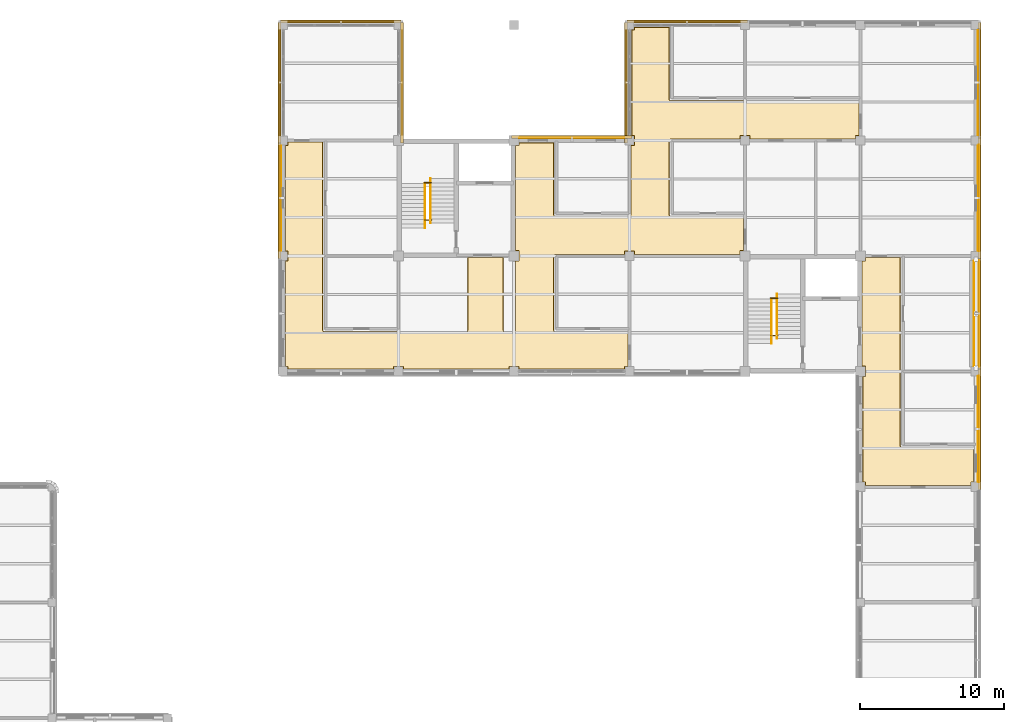
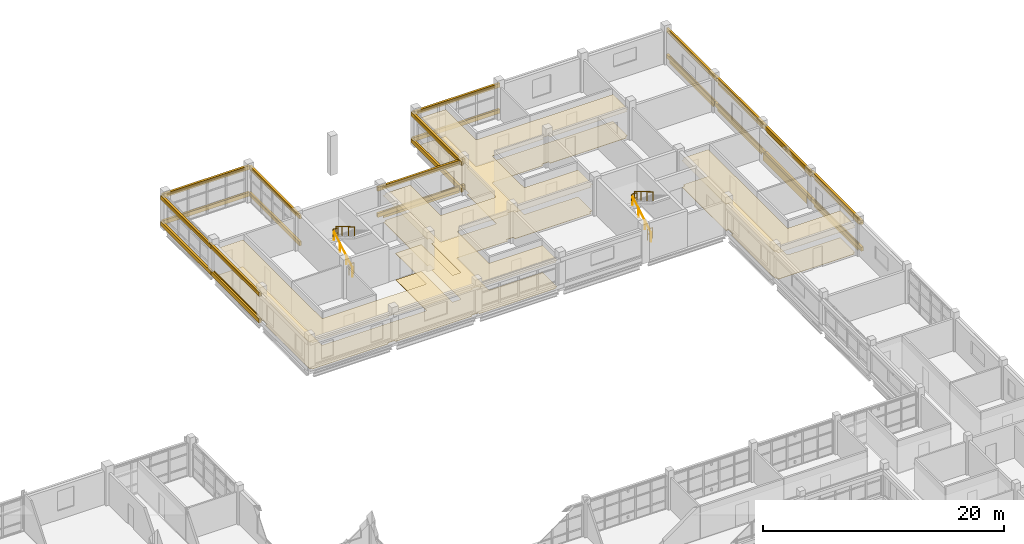
# One storey, part 105 of 107: 32 coverings, 14 shading devices, 8 railings.
"""IFC4 building model written with IfcOpenShell, lengths in metres."""

from ifc_helpers import new_model, si_unit, derived_unit, direction, frame, origin, origin_2d, place, context, subcontext, project, spatial, polyline, rectangle, circle, outline, extrude, material, layer, layer_set, material_profile, profile_set, type_object, element, save


model = new_model("IFC4")

# Units and contexts
model_context = context("Model", 3, precision=1e-05, world=origin(), true_north=direction((0.0, 1.0)))
body_context = subcontext(model_context, "Body", "Model", "MODEL_VIEW")
ifc_project = project(units=[si_unit("LENGTHUNIT", "METRE"), si_unit("AREAUNIT", "SQUARE_METRE"), si_unit("VOLUMEUNIT", "CUBIC_METRE"), si_unit("PLANEANGLEUNIT", "RADIAN"), si_unit("MASSUNIT", "GRAM", prefix="KILO"), derived_unit("THERMALTRANSMITTANCEUNIT", [(si_unit("MASSUNIT", "GRAM", prefix="KILO"), 1), (si_unit("TIMEUNIT", "SECOND"), -3), (si_unit("THERMODYNAMICTEMPERATUREUNIT", "KELVIN"), -1)])], contexts=[model_context])

# Site, building, storey
site_placement = place(None, origin())
site = spatial("IfcSite", under=ifc_project, at=site_placement, CompositionType="ELEMENT")
building_placement = place(site_placement, origin())
building = spatial("IfcBuilding", under=site, at=building_placement, Name="Veyamyaing Civic Hall", CompositionType="ELEMENT")
storey_placement = place(building_placement, frame((0.0, 0.0, 13.860107421875)))
storey = spatial("IfcBuildingStorey", under=building, at=storey_placement, Name="L03", CompositionType="ELEMENT", Elevation=13.860107421875)

# Coverings
ifc_material_1 = material(Name="Buff sandstone ashlar cladding", Category="masonry")
ifc_layer_1 = layer(ifc_material_1, 0.050048828125, Name="Buff sandstone ashlar cladding")
ifc_layer_set_1 = layer_set([ifc_layer_1], Name="Buff sandstone ashlar cladding")
covering_type_1 = type_object("IfcCoveringType", Name="CL-01", PredefinedType="CLADDING", material=ifc_layer_set_1)
for number, where, z_axis, x_axis, name in (
    (1, (176.160888671875, 84.0, 0.044921875), (0.0, 0.0, 1.0), (0.0, 1.0, 0.0), "Facade spandrel cladding CL-01 L03 E 22.11"),
    (2, (176.160888671875, 100.0, 0.044921875), (0.0, 0.0, 1.0), (0.0, 1.0, 0.0), "Facade spandrel cladding CL-01 L03 E 22.13"),
):
    element("IfcCovering", number, at=place(storey_placement, frame(where, z_axis=z_axis, x_axis=x_axis)), inside=storey, type_object=covering_type_1, Name=name, PredefinedType="CLADDING", context=body_context, shape_type="SweptSolid", body=[
        extrude(rectangle(XDim=7.300048828125, YDim=0.050048828125, at=origin_2d()), origin(), (0.0, 0.0, 1.0), 0.75),
    ])
ifc_material_2 = material(Name="Turquoise glazed ceramic tile cladding", Category="masonry")
ifc_layer_2 = layer(ifc_material_2, 0.034912109375, Name="Turquoise glazed ceramic tile cladding")
ifc_layer_set_2 = layer_set([ifc_layer_2], Name="Turquoise glazed ceramic tile cladding")
covering_type_2 = type_object("IfcCoveringType", Name="CL-02", PredefinedType="CLADDING", material=ifc_layer_set_2)
covering_1_placement = place(storey_placement, frame((127.846435546875, 100.0, 0.044921875), z_axis=(0.0, 0.0, 1.0), x_axis=(0.0, 1.0, 0.0)))
element("IfcCovering", 3, at=covering_1_placement, inside=storey, type_object=covering_type_2, Name="Facade spandrel cladding CL-02 L03 W 17.13", PredefinedType="CLADDING", context=body_context, shape_type="SweptSolid", body=[
    extrude(rectangle(XDim=7.300048828125, YDim=0.034912109375, at=origin_2d()), origin(), (0.0, 0.0, 1.0), 0.75),
])
covering_2_placement = place(storey_placement, frame((148.012451171875, 104.153564453125, 0.044921875), z_axis=(0.0, 0.0, 1.0), x_axis=(1.0, 0.0, 0.0)))
element("IfcCovering", 4, at=covering_2_placement, inside=storey, type_object=covering_type_2, Name="Facade spandrel cladding CL-02 L03 N 19.13", PredefinedType="CLADDING", context=body_context, shape_type="SweptSolid", body=[
    extrude(rectangle(XDim=7.27490234375, YDim=0.034912109375, at=origin_2d()), origin(), (0.0, 0.0, 1.0), 0.75),
])
for number, where, z_axis, x_axis, name in (
    (5, (175.853515625, 92.0, 0.044921875), (0.0, 0.0, 1.0), (0.0, 1.0, 0.0), "Facade spandrel cladding CL-02 L03 E 22.12"),
    (6, (176.153564453125, 108.0, 0.044921875), (0.0, 0.0, 1.0), (0.0, 1.0, 0.0), "Facade spandrel cladding CL-02 L03 E 22.14"),
):
    element("IfcCovering", number, at=place(storey_placement, frame(where, z_axis=z_axis, x_axis=x_axis)), inside=storey, type_object=covering_type_2, Name=name, PredefinedType="CLADDING", context=body_context, shape_type="SweptSolid", body=[
        extrude(rectangle(XDim=7.300048828125, YDim=0.034912109375, at=origin_2d()), origin(), (0.0, 0.0, 1.0), 0.75),
    ])
ifc_material_3 = material(Name="White powder-coated aluminium 6063-T6", Category="aluminium")
ifc_layer_3 = layer(ifc_material_3, 0.2099609375, Name="White powder-coated aluminium 6063-T6")
ifc_layer_set_3 = layer_set([ifc_layer_3], Name="White powder-coated aluminium 6063-T6")
covering_type_3 = type_object("IfcCoveringType", Name="CL-03", PredefinedType="CLADDING", material=ifc_layer_set_3)
for number, where, z_axis, x_axis, name in (
    (7, (127.760009765625, 100.0, 2.987060546875), (0.0, 0.0, 1.0), (0.0, 1.0, 0.0), "Continuous white head fascia ribbon CL-03 L03 W 17.13"),
    (8, (127.760009765625, 100.0, 0.280029296875), (0.0, 0.0, 1.0), (0.0, 1.0, 0.0), "Continuous white sill fascia ribbon CL-03 L03 W 17.13"),
    (9, (132.0, 112.239990234375, 2.98388671875), (0.0, 0.0, 1.0), (1.0, 0.0, 0.0), "Continuous white head fascia ribbon CL-03 L03 N 17.14"),
    (10, (132.0, 112.239990234375, 0.280029296875), (0.0, 0.0, 1.0), (1.0, 0.0, 0.0), "Continuous white sill fascia ribbon CL-03 L03 N 17.14"),
    (11, (127.760009765625, 108.0, 2.919921875), (0.0, 0.0, 1.0), (0.0, 1.0, 0.0), "Continuous white head fascia ribbon CL-03 L03 W 17.14"),
    (12, (127.760009765625, 108.0, 0.280029296875), (0.0, 0.0, 1.0), (0.0, 1.0, 0.0), "Continuous white sill fascia ribbon CL-03 L03 W 17.14"),
    (13, (136.239990234375, 108.0, 2.98388671875), (0.0, 0.0, 1.0), (0.0, 1.0, 0.0), "Continuous white head fascia ribbon CL-03 L03 E 17.14"),
    (14, (136.239990234375, 108.0, 0.280029296875), (0.0, 0.0, 1.0), (0.0, 1.0, 0.0), "Continuous white sill fascia ribbon CL-03 L03 E 17.14"),
    (15, (148.0, 104.239990234375, 2.923828125), (0.0, 0.0, 1.0), (1.0, 0.0, 0.0), "Continuous white head fascia ribbon CL-03 L03 N 19.13"),
    (16, (148.0, 104.239990234375, 0.280029296875), (0.0, 0.0, 1.0), (1.0, 0.0, 0.0), "Continuous white sill fascia ribbon CL-03 L03 N 19.13"),
    (17, (156.0, 112.239990234375, 2.919921875), (0.0, 0.0, 1.0), (1.0, 0.0, 0.0), "Continuous white head fascia ribbon CL-03 L03 N 20.14"),
    (18, (156.0, 112.239990234375, 0.280029296875), (0.0, 0.0, 1.0), (1.0, 0.0, 0.0), "Continuous white sill fascia ribbon CL-03 L03 N 20.14"),
    (19, (151.760009765625, 108.0, 2.987060546875), (0.0, 0.0, 1.0), (0.0, 1.0, 0.0), "Continuous white head fascia ribbon CL-03 L03 W 20.14"),
    (20, (151.760009765625, 108.0, 0.280029296875), (0.0, 0.0, 1.0), (0.0, 1.0, 0.0), "Continuous white sill fascia ribbon CL-03 L03 W 20.14"),
    (21, (176.239990234375, 84.0, 2.987060546875), (0.0, 0.0, 1.0), (0.0, 1.0, 0.0), "Continuous white head fascia ribbon CL-03 L03 E 22.11"),
    (22, (176.239990234375, 84.0, 0.280029296875), (0.0, 0.0, 1.0), (0.0, 1.0, 0.0), "Continuous white sill fascia ribbon CL-03 L03 E 22.11"),
    (23, (176.239990234375, 92.0, 2.919921875), (0.0, 0.0, 1.0), (0.0, 1.0, 0.0), "Continuous white head fascia ribbon CL-03 L03 E 22.12"),
    (24, (176.239990234375, 92.0, 0.280029296875), (0.0, 0.0, 1.0), (0.0, 1.0, 0.0), "Continuous white sill fascia ribbon CL-03 L03 E 22.12"),
    (25, (176.239990234375, 100.0, 2.98388671875), (0.0, 0.0, 1.0), (0.0, 1.0, 0.0), "Continuous white head fascia ribbon CL-03 L03 E 22.13"),
    (26, (176.239990234375, 100.0, 0.280029296875), (0.0, 0.0, 1.0), (0.0, 1.0, 0.0), "Continuous white sill fascia ribbon CL-03 L03 E 22.13"),
    (27, (176.239990234375, 108.0, 2.923828125), (0.0, 0.0, 1.0), (0.0, 1.0, 0.0), "Continuous white head fascia ribbon CL-03 L03 E 22.14"),
    (28, (176.239990234375, 108.0, 0.280029296875), (0.0, 0.0, 1.0), (0.0, 1.0, 0.0), "Continuous white sill fascia ribbon CL-03 L03 E 22.14"),
):
    element("IfcCovering", number, at=place(storey_placement, frame(where, z_axis=z_axis, x_axis=x_axis)), inside=storey, type_object=covering_type_3, Name=name, PredefinedType="CLADDING", context=body_context, shape_type="SweptSolid", body=[
        extrude(rectangle(XDim=8.360107421875, YDim=0.2099609375, at=origin_2d()), origin(), (0.0, 0.0, 1.0), 0.39990234375),
    ])
ifc_material_4 = material(Name="Perforated acoustic gypsum ceiling board")
ifc_layer_4 = layer(ifc_material_4, 0.02490234375, Name="Perforated acoustic gypsum ceiling board")
ifc_layer_set_4 = layer_set([ifc_layer_4], Name="Perforated acoustic gypsum ceiling board")
covering_type_4 = type_object("IfcCoveringType", Name="CLG-01", PredefinedType="CEILING", material=ifc_layer_set_4)
covering_3_placement = place(storey_placement, frame((0.0, 0.0, 2.699951171875)))
element("IfcCovering", 29, at=covering_3_placement, inside=storey, type_object=covering_type_4, Name="Acoustic suspended ceiling CLG-01 L03-C06", PredefinedType="CEILING", context=body_context, shape_type="SweptSolid", body=[
    extrude(outline(polyline([(130.77490234375, 90.8525390625), (130.78125, 90.821533203125), (130.79736328125, 90.79736328125), (130.821533203125, 90.78125), (130.8525390625, 90.77490234375), (140.697509765625, 90.77490234375), (140.729248046875, 90.78125), (140.747314453125, 90.792236328125), (140.76220703125, 90.80859375), (140.771484375, 90.828369140625), (140.77490234375, 90.851806640625), (140.77490234375, 95.925048828125), (143.27490234375, 95.925048828125), (143.27685546875, 90.8349609375), (143.283935546875, 90.8154296875), (143.30322265625, 90.7919921875), (143.3212890625, 90.781005859375), (143.34326171875, 90.775390625), (143.99755859375, 90.77490234375), (144.028564453125, 90.78125), (144.052734375, 90.79736328125), (144.06884765625, 90.821533203125), (144.074951171875, 90.8525390625), (144.074951171875, 95.6650390625), (144.3349609375, 95.6650390625), (144.3349609375, 96.3349609375), (144.074951171875, 96.3349609375), (144.074951171875, 103.6650390625), (144.3349609375, 103.6650390625), (144.3349609375, 103.844970703125), (146.77490234375, 103.844970703125), (146.77490234375, 98.851318359375), (146.776611328125, 98.8359375), (146.7841796875, 98.814208984375), (146.791748046875, 98.802978515625), (146.80859375, 98.787841796875), (146.828369140625, 98.778564453125), (146.851806640625, 98.77490234375), (151.99755859375, 98.77490234375), (152.028564453125, 98.78125), (152.052734375, 98.79736328125), (152.06884765625, 98.821533203125), (152.074951171875, 98.8525390625), (152.074951171875, 103.68994140625), (152.31005859375, 103.68994140625), (152.31005859375, 104.31005859375), (152.155029296875, 104.31005859375), (152.155029296875, 111.68994140625), (152.31005859375, 111.68994140625), (152.31005859375, 111.844970703125), (154.77490234375, 111.844970703125), (154.77490234375, 106.851806640625), (154.778564453125, 106.828369140625), (154.78759765625, 106.80908203125), (154.80908203125, 106.78759765625), (154.828369140625, 106.778564453125), (154.851806640625, 106.77490234375), (167.925048828125, 106.77490234375), (167.925048828125, 104.31005859375), (167.68994140625, 104.31005859375), (167.68994140625, 104.074951171875), (160.31005859375, 104.074951171875), (160.31005859375, 104.31005859375), (159.68994140625, 104.31005859375), (159.68994140625, 104.074951171875), (154.851806640625, 104.074951171875), (154.82763671875, 104.0712890625), (154.81591796875, 104.06640625), (154.79248046875, 104.047119140625), (154.7783203125, 104.02099609375), (154.77490234375, 103.998291015625), (154.77490234375, 98.851806640625), (154.778564453125, 98.828369140625), (154.787841796875, 98.80859375), (154.802978515625, 98.791748046875), (154.814697265625, 98.783935546875), (154.82763671875, 98.778564453125), (154.851806640625, 98.77490234375), (159.925048828125, 98.77490234375), (159.925048828125, 96.3349609375), (159.6650390625, 96.3349609375), (159.6650390625, 96.074951171875), (152.31005859375, 96.074951171875), (152.31005859375, 96.31005859375), (151.68994140625, 96.31005859375), (151.68994140625, 96.074951171875), (146.851806640625, 96.074951171875), (146.82763671875, 96.0712890625), (146.81591796875, 96.06640625), (146.79248046875, 96.047119140625), (146.7783203125, 96.02099609375), (146.77490234375, 95.998291015625), (146.77490234375, 90.851806640625), (146.778564453125, 90.828369140625), (146.787841796875, 90.80859375), (146.802978515625, 90.791748046875), (146.814697265625, 90.783935546875), (146.82763671875, 90.778564453125), (146.851806640625, 90.77490234375), (151.925048828125, 90.77490234375), (151.925048828125, 88.31005859375), (151.68994140625, 88.31005859375), (151.68994140625, 88.155029296875), (144.31005859375, 88.155029296875), (144.31005859375, 88.31005859375), (143.68994140625, 88.31005859375), (143.68994140625, 88.155029296875), (136.31005859375, 88.155029296875), (136.31005859375, 88.31005859375), (135.68994140625, 88.31005859375), (135.68994140625, 88.155029296875), (128.31005859375, 88.155029296875), (128.31005859375, 88.31005859375), (128.155029296875, 88.31005859375), (128.155029296875, 95.68994140625), (128.31005859375, 95.68994140625), (128.31005859375, 96.31005859375), (128.155029296875, 96.31005859375), (128.155029296875, 103.68994140625), (128.31005859375, 103.68994140625), (128.31005859375, 103.925048828125), (130.77490234375, 103.925048828125), (130.77490234375, 90.8525390625)])), origin(), (0.0, 0.0, 1.0), 0.02490234375),
])
covering_4_placement = place(storey_placement, frame((0.0, 0.0, 2.699951171875)))
element("IfcCovering", 30, at=covering_4_placement, inside=storey, type_object=covering_type_4, Name="Acoustic suspended ceiling CLG-01 L03-C07", PredefinedType="CEILING", context=body_context, shape_type="SweptSolid", body=[
    extrude(outline(polyline([(170.77490234375, 82.8525390625), (170.78125, 82.821533203125), (170.79736328125, 82.79736328125), (170.821533203125, 82.78125), (170.8525390625, 82.77490234375), (175.844970703125, 82.77490234375), (175.844970703125, 80.31005859375), (175.68994140625, 80.31005859375), (175.68994140625, 80.074951171875), (168.31005859375, 80.074951171875), (168.31005859375, 80.31005859375), (168.155029296875, 80.31005859375), (168.155029296875, 87.6650390625), (168.3349609375, 87.6650390625), (168.3349609375, 88.3349609375), (168.074951171875, 88.3349609375), (168.074951171875, 95.6650390625), (168.3349609375, 95.6650390625), (168.3349609375, 95.925048828125), (170.77490234375, 95.925048828125), (170.77490234375, 82.8525390625)])), origin(), (0.0, 0.0, 1.0), 0.02490234375),
])
ifc_material_5 = material(Name="Polished Mandalay marble and terrazzo flooring", Category="masonry")
ifc_layer_5 = layer(ifc_material_5, 0.030029296875, Name="Polished Mandalay marble and terrazzo flooring")
ifc_layer_set_5 = layer_set([ifc_layer_5], Name="Polished Mandalay marble and terrazzo flooring")
covering_type_5 = type_object("IfcCoveringType", Name="FLR-01", PredefinedType="FLOORING", material=ifc_layer_set_5)
covering_5_placement = place(storey_placement, origin())
element("IfcCovering", 31, at=covering_5_placement, inside=storey, type_object=covering_type_5, Name="Stone and terrazzo flooring FLR-01 L03-C06", PredefinedType="FLOORING", context=body_context, shape_type="SweptSolid", body=[
    extrude(outline(polyline([(130.75, 90.85009765625), (130.757568359375, 90.811767578125), (130.779296875, 90.779296875), (130.811767578125, 90.757568359375), (130.85009765625, 90.75), (140.699951171875, 90.75), (140.73828125, 90.757568359375), (140.763427734375, 90.772705078125), (140.783203125, 90.79443359375), (140.795654296875, 90.821044921875), (140.800048828125, 90.85009765625), (140.800048828125, 95.89990234375), (143.25, 95.89990234375), (143.251953125, 90.83056640625), (143.26171875, 90.802978515625), (143.28662109375, 90.772705078125), (143.311767578125, 90.757568359375), (143.340087890625, 90.75048828125), (144.0, 90.75), (144.038330078125, 90.757568359375), (144.07080078125, 90.779296875), (144.09228515625, 90.811767578125), (144.10009765625, 90.85009765625), (144.10009765625, 95.639892578125), (144.360107421875, 95.639892578125), (144.360107421875, 96.360107421875), (144.10009765625, 96.360107421875), (144.10009765625, 103.639892578125), (144.360107421875, 103.639892578125), (144.360107421875, 103.820068359375), (146.75, 103.820068359375), (146.75, 98.85009765625), (146.751953125, 98.83056640625), (146.76171875, 98.802978515625), (146.772705078125, 98.78662109375), (146.79443359375, 98.766845703125), (146.821044921875, 98.75439453125), (146.85009765625, 98.75), (152.0, 98.75), (152.038330078125, 98.757568359375), (152.07080078125, 98.779296875), (152.09228515625, 98.811767578125), (152.10009765625, 98.85009765625), (152.10009765625, 103.6650390625), (152.3349609375, 103.6650390625), (152.3349609375, 104.3349609375), (152.179931640625, 104.3349609375), (152.179931640625, 111.6650390625), (152.3349609375, 111.6650390625), (152.3349609375, 111.820068359375), (154.75, 111.820068359375), (154.75, 106.85009765625), (154.75439453125, 106.821044921875), (154.766845703125, 106.79443359375), (154.79443359375, 106.766845703125), (154.821044921875, 106.75439453125), (154.85009765625, 106.75), (167.89990234375, 106.75), (167.89990234375, 104.3349609375), (167.6650390625, 104.3349609375), (167.6650390625, 104.10009765625), (160.3349609375, 104.10009765625), (160.3349609375, 104.3349609375), (159.6650390625, 104.3349609375), (159.6650390625, 104.10009765625), (154.85009765625, 104.10009765625), (154.821044921875, 104.095703125), (154.802978515625, 104.088134765625), (154.772705078125, 104.0634765625), (154.75439453125, 104.029052734375), (154.75, 104.0), (154.75, 98.85009765625), (154.75439453125, 98.821044921875), (154.766845703125, 98.79443359375), (154.78662109375, 98.772705078125), (154.802978515625, 98.76171875), (154.821044921875, 98.75439453125), (154.85009765625, 98.75), (159.89990234375, 98.75), (159.89990234375, 96.360107421875), (159.639892578125, 96.360107421875), (159.639892578125, 96.10009765625), (152.3349609375, 96.10009765625), (152.3349609375, 96.3349609375), (151.6650390625, 96.3349609375), (151.6650390625, 96.10009765625), (146.85009765625, 96.10009765625), (146.821044921875, 96.095703125), (146.802978515625, 96.088134765625), (146.772705078125, 96.0634765625), (146.75439453125, 96.029052734375), (146.75, 96.0), (146.75, 90.85009765625), (146.75439453125, 90.821044921875), (146.766845703125, 90.79443359375), (146.78662109375, 90.772705078125), (146.802978515625, 90.76171875), (146.821044921875, 90.75439453125), (146.85009765625, 90.75), (151.89990234375, 90.75), (151.89990234375, 88.3349609375), (151.6650390625, 88.3349609375), (151.6650390625, 88.179931640625), (144.3349609375, 88.179931640625), (144.3349609375, 88.3349609375), (143.6650390625, 88.3349609375), (143.6650390625, 88.179931640625), (136.3349609375, 88.179931640625), (136.3349609375, 88.3349609375), (135.6650390625, 88.3349609375), (135.6650390625, 88.179931640625), (128.3349609375, 88.179931640625), (128.3349609375, 88.3349609375), (128.179931640625, 88.3349609375), (128.179931640625, 95.6650390625), (128.3349609375, 95.6650390625), (128.3349609375, 96.3349609375), (128.179931640625, 96.3349609375), (128.179931640625, 103.6650390625), (128.3349609375, 103.6650390625), (128.3349609375, 103.89990234375), (130.75, 103.89990234375), (130.75, 90.85009765625)])), origin(), (0.0, 0.0, 1.0), 0.02978515625),
])
covering_6_placement = place(storey_placement, origin())
element("IfcCovering", 32, at=covering_6_placement, inside=storey, type_object=covering_type_5, Name="Stone and terrazzo flooring FLR-01 L03-C07", PredefinedType="FLOORING", context=body_context, shape_type="SweptSolid", body=[
    extrude(outline(polyline([(170.75, 82.85009765625), (170.757568359375, 82.811767578125), (170.779296875, 82.779296875), (170.811767578125, 82.757568359375), (170.85009765625, 82.75), (175.820068359375, 82.75), (175.820068359375, 80.3349609375), (175.6650390625, 80.3349609375), (175.6650390625, 80.10009765625), (168.3349609375, 80.10009765625), (168.3349609375, 80.3349609375), (168.179931640625, 80.3349609375), (168.179931640625, 87.639892578125), (168.360107421875, 87.639892578125), (168.360107421875, 88.360107421875), (168.10009765625, 88.360107421875), (168.10009765625, 95.639892578125), (168.360107421875, 95.639892578125), (168.360107421875, 95.89990234375), (170.75, 95.89990234375), (170.75, 82.85009765625)])), origin(), (0.0, 0.0, 1.0), 0.02978515625),
])

# Shading devices
ifc_material_6 = material(Name="Anodised aluminium 6063-T6", Category="aluminium")
ifc_material_profile_1 = material_profile(ifc_material_6, rectangle(XDim=0.050048828125, YDim=0.25, at=origin_2d()), Name="LOUVRE-BLADE-50X250")
ifc_profile_set_1 = profile_set([ifc_material_profile_1], Name="Anodised aluminium 6063-T6")
shading_device_type_1 = type_object("IfcShadingDeviceType", Name="LV-01", PredefinedType="JALOUSIE", material=ifc_profile_set_1)
for number, where, z_axis, x_axis, name in (
    (33, (176.219970703125, 80.31005859375, 2.81689453125), (0.0, 1.0, 0.0), (-1.0, 0.0, 0.0), "Monsoon solar louvre LV-01 L03 E 22.11"),
    (34, (176.219970703125, 88.31005859375, 2.75), (0.0, 1.0, 0.0), (-1.0, 0.0, 0.0), "Monsoon solar louvre LV-01 L03 E 22.12"),
    (35, (176.219970703125, 96.31005859375, 2.81396484375), (0.0, 1.0, 0.0), (-1.0, 0.0, 0.0), "Monsoon solar louvre LV-01 L03 E 22.13"),
):
    element("IfcShadingDevice", number, at=place(storey_placement, frame(where, z_axis=z_axis, x_axis=x_axis)), inside=storey, type_object=shading_device_type_1, Name=name, PredefinedType="JALOUSIE", context=body_context, shape_type="SweptSolid", body=[
        extrude(rectangle(XDim=0.050048828125, YDim=0.25, at=origin_2d()), origin(), (0.0, 0.0, 1.0), 7.3798828125),
    ])

# Railings
ifc_material_7 = material(Name="Steel S355J2", Category="steel")
railing_type_1 = type_object("IfcRailingType", Name="RL-01", PredefinedType="BALUSTRADE", material=ifc_material_7)
railing_1_placement = place(storey_placement, frame((161.780029296875, 93.070068359375, 1.97998046875)))
element("IfcRailing", 36, at=railing_1_placement, inside=storey, type_object=railing_type_1, Name="Half-landing slot guard RL-01 ST-03 L03", PredefinedType="BALUSTRADE", context=body_context, shape_type="SweptSolid", body=[
    extrude(circle(Radius=0.02392578125, at=origin_2d()), frame((0.0, 0.0, 1.076171875), z_axis=(1.0, 0.0, 0.0), x_axis=(0.0, 1.0, 0.0)), (0.0, 0.0, 1.0), 0.489990234375),
    extrude(circle(Radius=0.01416015625, at=origin_2d()), frame((0.0, 0.0, 0.572021484375), z_axis=(1.0, 0.0, 0.0), x_axis=(0.0, 1.0, 0.0)), (0.0, 0.0, 1.0), 0.489990234375),
    extrude(circle(Radius=0.02099609375, at=origin_2d()), origin(), (0.0, 0.0, 1.0), 1.052001953125),
    extrude(circle(Radius=0.02099609375, at=origin_2d()), frame((0.489990234375, 0.0, 0.0)), (0.0, 0.0, 1.0), 1.052001953125),
])
railing_2_placement = place(storey_placement, frame((161.800048828125, 90.47998046875, 0.0)))
element("IfcRailing", 37, at=railing_2_placement, inside=storey, type_object=railing_type_1, Name="Floor-landing slot guard RL-01 ST-03 L03", PredefinedType="BALUSTRADE", context=body_context, shape_type="SweptSolid", body=[
    extrude(circle(Radius=0.02392578125, at=origin_2d()), frame((0.0, 0.0, 1.076171875), z_axis=(1.0, 0.0, 0.0), x_axis=(0.0, 1.0, 0.0)), (0.0, 0.0, 1.0), 0.469970703125),
    extrude(circle(Radius=0.01416015625, at=origin_2d()), frame((0.0, 0.0, 0.572021484375), z_axis=(1.0, 0.0, 0.0), x_axis=(0.0, 1.0, 0.0)), (0.0, 0.0, 1.0), 0.469970703125),
    extrude(circle(Radius=0.02099609375, at=origin_2d()), origin(), (0.0, 0.0, 1.0), 1.052001953125),
    extrude(circle(Radius=0.02099609375, at=origin_2d()), frame((0.469970703125, 0.0, 0.0)), (0.0, 0.0, 1.0), 1.052001953125),
])
railing_3_placement = place(storey_placement, frame((137.780029296875, 101.070068359375, 1.97998046875)))
element("IfcRailing", 38, at=railing_3_placement, inside=storey, type_object=railing_type_1, Name="Half-landing slot guard RL-01 ST-04 L03", PredefinedType="BALUSTRADE", context=body_context, shape_type="SweptSolid", body=[
    extrude(circle(Radius=0.02392578125, at=origin_2d()), frame((0.0, 0.0, 1.076171875), z_axis=(1.0, 0.0, 0.0), x_axis=(0.0, 1.0, 0.0)), (0.0, 0.0, 1.0), 0.489990234375),
    extrude(circle(Radius=0.01416015625, at=origin_2d()), frame((0.0, 0.0, 0.572021484375), z_axis=(1.0, 0.0, 0.0), x_axis=(0.0, 1.0, 0.0)), (0.0, 0.0, 1.0), 0.489990234375),
    extrude(circle(Radius=0.02099609375, at=origin_2d()), origin(), (0.0, 0.0, 1.0), 1.052001953125),
    extrude(circle(Radius=0.02099609375, at=origin_2d()), frame((0.489990234375, 0.0, 0.0)), (0.0, 0.0, 1.0), 1.052001953125),
])
railing_4_placement = place(storey_placement, frame((137.800048828125, 98.47998046875, 0.0)))
element("IfcRailing", 39, at=railing_4_placement, inside=storey, type_object=railing_type_1, Name="Floor-landing slot guard RL-01 ST-04 L03", PredefinedType="BALUSTRADE", context=body_context, shape_type="SweptSolid", body=[
    extrude(circle(Radius=0.02392578125, at=origin_2d()), frame((0.0, 0.0, 1.076171875), z_axis=(1.0, 0.0, 0.0), x_axis=(0.0, 1.0, 0.0)), (0.0, 0.0, 1.0), 0.469970703125),
    extrude(circle(Radius=0.01416015625, at=origin_2d()), frame((0.0, 0.0, 0.572021484375), z_axis=(1.0, 0.0, 0.0), x_axis=(0.0, 1.0, 0.0)), (0.0, 0.0, 1.0), 0.469970703125),
    extrude(circle(Radius=0.02099609375, at=origin_2d()), origin(), (0.0, 0.0, 1.0), 1.052001953125),
    extrude(circle(Radius=0.02099609375, at=origin_2d()), frame((0.469970703125, 0.0, 0.0)), (0.0, 0.0, 1.0), 1.052001953125),
])
railing_type_2 = type_object("IfcRailingType", Name="RL-02", PredefinedType="HANDRAIL", material=ifc_material_7)
railing_5_placement = place(storey_placement, frame((161.840087890625, 89.949951171875, 0.164794921875)))
element("IfcRailing", 40, at=railing_5_placement, inside=storey, type_object=railing_type_2, Name="Stair pitch handrail RL-02 ST-03 L03.1", PredefinedType="HANDRAIL", context=body_context, shape_type="SweptSolid", body=[
    extrude(circle(Radius=0.02392578125, at=origin_2d()), frame((0.0, 0.0, 0.89599609375), z_axis=(0.0, 0.861521393093, 0.507721271215), x_axis=(-1.0, 0.0, 0.0)), (0.0, 0.0, 1.0), 3.5751953125),
    extrude(circle(Radius=0.02099609375, at=origin_2d()), origin(), (0.0, 0.0, 1.0), 0.871826171875),
    extrude(circle(Radius=0.02099609375, at=origin_2d()), frame((0.0, 1.026611328125, 0.60498046875)), (0.0, 0.0, 1.0), 0.871826171875),
    extrude(circle(Radius=0.02099609375, at=origin_2d()), frame((0.0, 2.053466796875, 1.210205078125)), (0.0, 0.0, 1.0), 0.871826171875),
    extrude(circle(Radius=0.02099609375, at=origin_2d()), frame((0.0, 3.080078125, 1.815185546875)), (0.0, 0.0, 1.0), 0.871826171875),
])
railing_6_placement = place(storey_placement, frame((162.219970703125, 93.35009765625, 2.144775390625)))
element("IfcRailing", 41, at=railing_6_placement, inside=storey, type_object=railing_type_2, Name="Stair pitch handrail RL-02 ST-03 L03.2", PredefinedType="HANDRAIL", context=body_context, shape_type="SweptSolid", body=[
    extrude(circle(Radius=0.02392578125, at=origin_2d()), frame((0.0, 0.0, 0.89599609375), z_axis=(0.0, -0.861521393093, 0.507721271215), x_axis=(1.0, 0.0, 0.0)), (0.0, 0.0, 1.0), 3.5751953125),
    extrude(circle(Radius=0.02099609375, at=origin_2d()), origin(), (0.0, 0.0, 1.0), 0.871826171875),
    extrude(circle(Radius=0.02099609375, at=origin_2d()), frame((0.0, -1.026611328125, 0.60498046875)), (0.0, 0.0, 1.0), 0.871826171875),
    extrude(circle(Radius=0.02099609375, at=origin_2d()), frame((0.0, -2.053466796875, 1.210205078125)), (0.0, 0.0, 1.0), 0.871826171875),
    extrude(circle(Radius=0.02099609375, at=origin_2d()), frame((0.0, -3.080078125, 1.815185546875)), (0.0, 0.0, 1.0), 0.871826171875),
])
railing_7_placement = place(storey_placement, frame((137.840087890625, 97.949951171875, 0.164794921875)))
element("IfcRailing", 42, at=railing_7_placement, inside=storey, type_object=railing_type_2, Name="Stair pitch handrail RL-02 ST-04 L03.1", PredefinedType="HANDRAIL", context=body_context, shape_type="SweptSolid", body=[
    extrude(circle(Radius=0.02392578125, at=origin_2d()), frame((0.0, 0.0, 0.89599609375), z_axis=(0.0, 0.861521393093, 0.507721271215), x_axis=(-1.0, 0.0, 0.0)), (0.0, 0.0, 1.0), 3.5751953125),
    extrude(circle(Radius=0.02099609375, at=origin_2d()), origin(), (0.0, 0.0, 1.0), 0.871826171875),
    extrude(circle(Radius=0.02099609375, at=origin_2d()), frame((0.0, 1.026611328125, 0.60498046875)), (0.0, 0.0, 1.0), 0.871826171875),
    extrude(circle(Radius=0.02099609375, at=origin_2d()), frame((0.0, 2.053466796875, 1.210205078125)), (0.0, 0.0, 1.0), 0.871826171875),
    extrude(circle(Radius=0.02099609375, at=origin_2d()), frame((0.0, 3.080078125, 1.815185546875)), (0.0, 0.0, 1.0), 0.871826171875),
])
railing_8_placement = place(storey_placement, frame((138.219970703125, 101.35009765625, 2.144775390625)))
element("IfcRailing", 43, at=railing_8_placement, inside=storey, type_object=railing_type_2, Name="Stair pitch handrail RL-02 ST-04 L03.2", PredefinedType="HANDRAIL", context=body_context, shape_type="SweptSolid", body=[
    extrude(circle(Radius=0.02392578125, at=origin_2d()), frame((0.0, 0.0, 0.89599609375), z_axis=(0.0, -0.861521393093, 0.507721271215), x_axis=(1.0, 0.0, 0.0)), (0.0, 0.0, 1.0), 3.5751953125),
    extrude(circle(Radius=0.02099609375, at=origin_2d()), origin(), (0.0, 0.0, 1.0), 0.871826171875),
    extrude(circle(Radius=0.02099609375, at=origin_2d()), frame((0.0, -1.026611328125, 0.60498046875)), (0.0, 0.0, 1.0), 0.871826171875),
    extrude(circle(Radius=0.02099609375, at=origin_2d()), frame((0.0, -2.053466796875, 1.210205078125)), (0.0, 0.0, 1.0), 0.871826171875),
    extrude(circle(Radius=0.02099609375, at=origin_2d()), frame((0.0, -3.080078125, 1.815185546875)), (0.0, 0.0, 1.0), 0.871826171875),
])

# Shading devices
ifc_material_profile_2 = material_profile(ifc_material_3, circle(Radius=0.090087890625, at=origin_2d()), Name="SHADE-TUBE-180")
ifc_profile_set_2 = profile_set([ifc_material_profile_2], Name="White powder-coated aluminium 6063-T6")
shading_device_type_2 = type_object("IfcShadingDeviceType", Name="SH-02", PredefinedType="USERDEFINED", material=ifc_profile_set_2)
for number, where, z_axis, x_axis, name in (
    (44, (127.760009765625, 96.31005859375, 3.14697265625), (0.0, 1.0, 0.0), (-1.0, 0.0, 0.0), "Horizontal white sunshade ribbon SH-02 L03 W 17.13"),
    (45, (128.31005859375, 112.239990234375, 3.143798828125), (1.0, 0.0, 0.0), (0.0, 1.0, 0.0), "Horizontal white sunshade ribbon SH-02 L03 N 17.14"),
    (46, (127.760009765625, 104.31005859375, 3.079833984375), (0.0, 1.0, 0.0), (-1.0, 0.0, 0.0), "Horizontal white sunshade ribbon SH-02 L03 W 17.14"),
):
    element("IfcShadingDevice", number, at=place(storey_placement, frame(where, z_axis=z_axis, x_axis=x_axis)), inside=storey, type_object=shading_device_type_2, Name=name, ObjectType="SUNSHADE", PredefinedType="USERDEFINED", context=body_context, shape_type="SweptSolid", body=[
        extrude(circle(Radius=0.090087890625, at=origin_2d()), origin(), (0.0, 0.0, 1.0), 7.3798828125),
    ])
for number, where, z_axis, x_axis, name in (
    (47, (136.239990234375, 104.3349609375, 3.143798828125), (0.0, 1.0, 0.0), (-1.0, 0.0, 0.0), "Horizontal white sunshade ribbon SH-02 L03 E 17.14"),
    (48, (144.3349609375, 104.239990234375, 3.083984375), (1.0, 0.0, 0.0), (0.0, 1.0, 0.0), "Horizontal white sunshade ribbon SH-02 L03 N 19.13"),
):
    element("IfcShadingDevice", number, at=place(storey_placement, frame(where, z_axis=z_axis, x_axis=x_axis)), inside=storey, type_object=shading_device_type_2, Name=name, ObjectType="SUNSHADE", PredefinedType="USERDEFINED", context=body_context, shape_type="SweptSolid", body=[
        extrude(circle(Radius=0.090087890625, at=origin_2d()), origin(), (0.0, 0.0, 1.0), 7.35498046875),
    ])
for number, where, z_axis, x_axis, name in (
    (49, (152.31005859375, 112.239990234375, 3.079833984375), (1.0, 0.0, 0.0), (0.0, 1.0, 0.0), "Horizontal white sunshade ribbon SH-02 L03 N 20.14"),
    (50, (151.760009765625, 104.31005859375, 3.14697265625), (0.0, 1.0, 0.0), (-1.0, 0.0, 0.0), "Horizontal white sunshade ribbon SH-02 L03 W 20.14"),
    (51, (176.239990234375, 80.31005859375, 3.14697265625), (0.0, 1.0, 0.0), (-1.0, 0.0, 0.0), "Horizontal white sunshade ribbon SH-02 L03 E 22.11"),
    (52, (176.239990234375, 88.31005859375, 3.079833984375), (0.0, 1.0, 0.0), (-1.0, 0.0, 0.0), "Horizontal white sunshade ribbon SH-02 L03 E 22.12"),
    (53, (176.239990234375, 96.31005859375, 3.143798828125), (0.0, 1.0, 0.0), (-1.0, 0.0, 0.0), "Horizontal white sunshade ribbon SH-02 L03 E 22.13"),
    (54, (176.239990234375, 104.31005859375, 3.083984375), (0.0, 1.0, 0.0), (-1.0, 0.0, 0.0), "Horizontal white sunshade ribbon SH-02 L03 E 22.14"),
):
    element("IfcShadingDevice", number, at=place(storey_placement, frame(where, z_axis=z_axis, x_axis=x_axis)), inside=storey, type_object=shading_device_type_2, Name=name, ObjectType="SUNSHADE", PredefinedType="USERDEFINED", context=body_context, shape_type="SweptSolid", body=[
        extrude(circle(Radius=0.090087890625, at=origin_2d()), origin(), (0.0, 0.0, 1.0), 7.3798828125),
    ])

save(model, "model.ifc")
